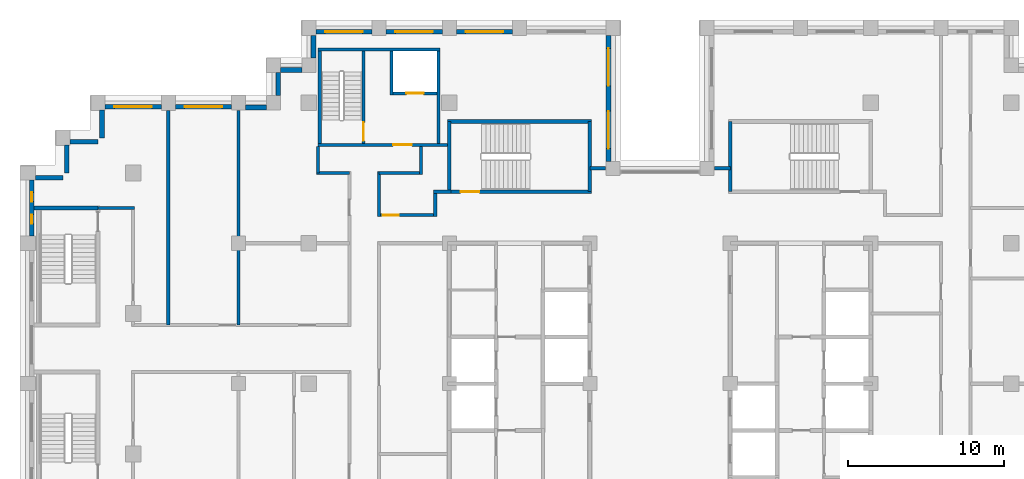
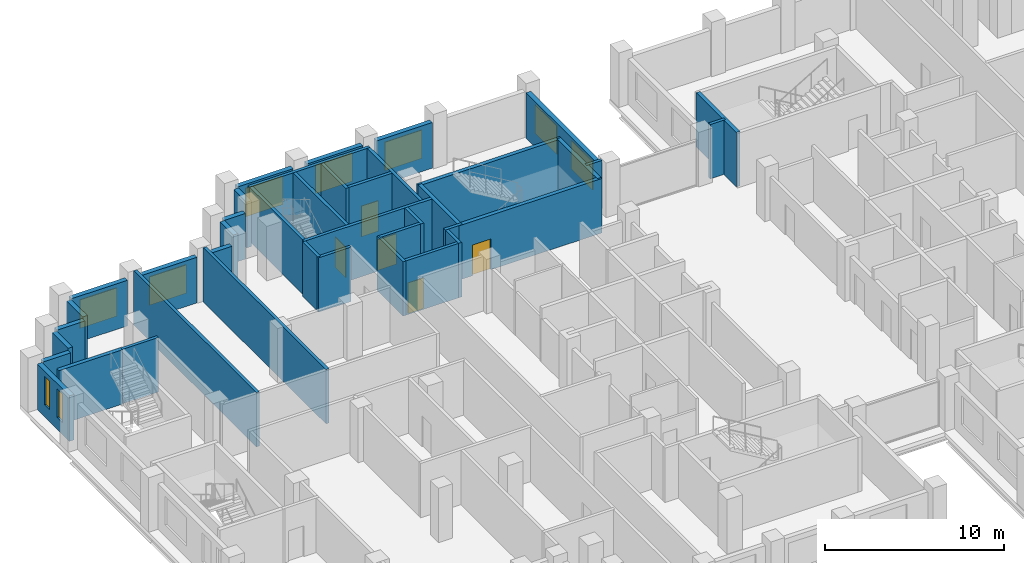
# One storey, part 10 of 15: 41 walls, 9 windows, 5 doors, 14 openings.
"""IFC4 building model written with IfcOpenShell, lengths in metres."""

from ifc_helpers import new_model, si_unit, direction, frame, frame_2d, origin, place, context, subcontext, project, spatial, rectangle, extrude, material, layer, layer_set, type_object, element, fill, save


model = new_model("IFC4")

# Units and contexts
model_context = context("Model", 3, precision=1e-05, world=origin(), true_north=direction((0.0, 1.0)))
body_context = subcontext(model_context, "Body", "Model", "MODEL_VIEW")
ifc_project = project(units=[si_unit("LENGTHUNIT", "METRE"), si_unit("AREAUNIT", "SQUARE_METRE"), si_unit("VOLUMEUNIT", "CUBIC_METRE"), si_unit("PLANEANGLEUNIT", "RADIAN"), si_unit("MASSUNIT", "GRAM", prefix="KILO")], contexts=[model_context])

# Site, building, storey
site_placement = place(None, origin())
site = spatial("IfcSite", under=ifc_project, at=site_placement, CompositionType="ELEMENT")
building_placement = place(site_placement, origin())
building = spatial("IfcBuilding", under=site, at=building_placement, Name="Corbelhall Arena Tower", CompositionType="ELEMENT")
storey_placement = place(building_placement, frame((0.0, 0.0, 192.0)))
storey = spatial("IfcBuildingStorey", under=building, at=storey_placement, Name="L39", CompositionType="ELEMENT", Elevation=192.0)

# Walls
ifc_material_1 = material(Name="Precast concrete C40/50 with granite facing", Category="masonry")
ifc_layer_1 = layer(ifc_material_1, 0.300048828125)
ifc_layer_set_1 = layer_set([ifc_layer_1], Name="EV-IW1 Infill panel 300")
wall_type_1 = type_object("IfcWallType", Name="EV-IW1 Infill panel 300", PredefinedType="SOLIDWALL", material=ifc_layer_set_1)
for number, where, z_axis, x_axis, name in (
    (1, (-35.75, 17.550048828125, 0.0), (0.0, 0.0, 1.0), (0.0, -1.0, 0.0), "Infill panel IW1"),
    (2, (-37.800048828125, 15.5, 0.0), (0.0, 0.0, 1.0), (1.0, 0.0, 0.0), "Infill panel IW1"),
    (3, (-38.0, 15.300048828125, 0.0), (0.0, 0.0, 1.0), (0.0, -1.0, 0.0), "Infill panel IW1"),
):
    element("IfcWall", number, at=place(storey_placement, frame(where, z_axis=z_axis, x_axis=x_axis)), inside=storey, type_object=wall_type_1, Name=name, PredefinedType="SOLIDWALL", context=body_context, shape_type="SweptSolid", body=[
        extrude(rectangle(XDim=1.800048828125, YDim=0.300048828125, at=frame_2d((0.89990234375, 0.0))), origin(), (0.0, 0.0, 1.0), 3.1201171875),
    ])
wall_1_placement = place(storey_placement, frame((-40.0, 13.199951171875, 0.0), z_axis=(0.0, 0.0, 1.0), x_axis=(1.0, 0.0, 0.0)))
element("IfcWall", 4, at=wall_1_placement, inside=storey, type_object=wall_type_1, Name="Infill panel IW1", PredefinedType="SOLIDWALL", context=body_context, shape_type="SweptSolid", body=[
    extrude(rectangle(XDim=1.75, YDim=0.300048828125, at=frame_2d((0.875, 0.0))), origin(), (0.0, 0.0, 1.0), 3.1201171875),
])
wall_2_placement = place(storey_placement, frame((-22.949951171875, 20.10009765625, 0.0), z_axis=(0.0, 0.0, 1.0), x_axis=(-1.0, 0.0, 0.0)))
element("IfcWall", 5, at=wall_2_placement, inside=storey, type_object=wall_type_1, Name="Infill panel IW1", PredefinedType="SOLIDWALL", context=body_context, shape_type="SweptSolid", body=[
    extrude(rectangle(XDim=1.35009765625, YDim=0.300048828125, at=frame_2d((0.675048828125, 0.0))), origin(), (0.0, 0.0, 1.0), 3.1201171875),
])
wall_3_placement = place(storey_placement, frame((-24.449951171875, 19.949951171875, 0.0), z_axis=(0.0, 0.0, 1.0), x_axis=(0.0, -1.0, 0.0)))
element("IfcWall", 6, at=wall_3_placement, inside=storey, type_object=wall_type_1, Name="Infill panel IW1", PredefinedType="SOLIDWALL", context=body_context, shape_type="SweptSolid", body=[
    extrude(rectangle(XDim=1.5, YDim=0.300048828125, at=frame_2d((0.75, 0.0))), origin(), (0.0, 0.0, 1.0), 3.1201171875),
])
wall_4_placement = place(storey_placement, frame((-25.199951171875, 17.699951171875, 0.0), z_axis=(0.0, 0.0, 1.0), x_axis=(-1.0, 0.0, 0.0)))
element("IfcWall", 7, at=wall_4_placement, inside=storey, type_object=wall_type_1, Name="Infill panel IW1", PredefinedType="SOLIDWALL", context=body_context, shape_type="SweptSolid", body=[
    extrude(rectangle(XDim=1.35009765625, YDim=0.300048828125, at=frame_2d((0.675048828125, 0.0))), origin(), (0.0, 0.0, 1.0), 3.1201171875),
])

# Wall, opening, window
wall_5_placement = place(storey_placement, frame((-27.449951171875, 17.75, 0.0), z_axis=(0.0, 0.0, 1.0), x_axis=(-1.0, 0.0, 0.0)))
wall_5 = element("IfcWall", 8, at=wall_5_placement, inside=storey, type_object=wall_type_1, Name="Infill panel IW1", PredefinedType="SOLIDWALL", context=body_context, shape_type="SweptSolid", body=[
    extrude(rectangle(XDim=3.60009765625, YDim=0.300048828125, at=frame_2d((1.800048828125, 0.0))), origin(), (0.0, 0.0, 1.0), 3.1201171875),
])
opening_1_placement = place(wall_5_placement, frame((0.60009765625, 0.0, 0.800048828125)))
opening_1 = element("IfcOpeningElement", 9, at=opening_1_placement, cuts=wall_5, Name="Opening WN1", PredefinedType="OPENING", context=body_context, shape_type="SweptSolid", body=[
    extrude(rectangle(XDim=2.39990234375, YDim=1.949951171875, at=frame_2d((1.199951171875, 0.97509765625))), frame((0.0, 0.14990234375, 0.0), z_axis=(0.0, -1.0, 0.0), x_axis=(1.0, 0.0, 0.0)), (0.0, 0.0, 1.0), 0.300048828125),
])
ifc_material_2 = material(Name="Aluminium black anodised", Category="aluminium")
window_type_1 = type_object("IfcWindowType", Name="EV-WN1 Office window", PartitioningType="SINGLE_PANEL", PredefinedType="WINDOW", material=ifc_material_2)
window_1_placement = place(opening_1_placement, origin())
window_1 = element("IfcWindow", 10, at=window_1_placement, inside=storey, type_object=window_type_1, Name="Window WN1", OverallHeight=1.949951171875, OverallWidth=2.39990234375, PartitioningType="SINGLE_PANEL", PredefinedType="WINDOW", context=body_context, shape_type="SweptSolid", body=[
    extrude(rectangle(XDim=2.39990234375, YDim=1.949951171875, at=frame_2d((1.199951171875, 0.97509765625))), frame((0.0, 0.030029296875, 0.0), z_axis=(0.0, -1.0, 0.0), x_axis=(1.0, 0.0, 0.0)), (0.0, 0.0, 1.0), 0.06005859375),
])
fill(opening_1, window_1)

wall_6_placement = place(storey_placement, frame((-31.949951171875, 17.75, 0.0), z_axis=(0.0, 0.0, 1.0), x_axis=(-1.0, 0.0, 0.0)))
wall_6 = element("IfcWall", 11, at=wall_6_placement, inside=storey, type_object=wall_type_1, Name="Infill panel IW1", PredefinedType="SOLIDWALL", context=body_context, shape_type="SweptSolid", body=[
    extrude(rectangle(XDim=3.60009765625, YDim=0.300048828125, at=frame_2d((1.800048828125, 0.0))), origin(), (0.0, 0.0, 1.0), 3.1201171875),
])
opening_2_placement = place(wall_6_placement, frame((0.60009765625, 0.0, 0.800048828125)))
opening_2 = element("IfcOpeningElement", 12, at=opening_2_placement, cuts=wall_6, Name="Opening WN1", PredefinedType="OPENING", context=body_context, shape_type="SweptSolid", body=[
    extrude(rectangle(XDim=2.39990234375, YDim=1.949951171875, at=frame_2d((1.199951171875, 0.97509765625))), frame((0.0, 0.14990234375, 0.0), z_axis=(0.0, -1.0, 0.0), x_axis=(1.0, 0.0, 0.0)), (0.0, 0.0, 1.0), 0.300048828125),
])
window_2_placement = place(opening_2_placement, origin())
window_2 = element("IfcWindow", 13, at=window_2_placement, inside=storey, type_object=window_type_1, Name="Window WN1", OverallHeight=1.949951171875, OverallWidth=2.39990234375, PartitioningType="SINGLE_PANEL", PredefinedType="WINDOW", context=body_context, shape_type="SweptSolid", body=[
    extrude(rectangle(XDim=2.39990234375, YDim=1.949951171875, at=frame_2d((1.199951171875, 0.97509765625))), frame((0.0, 0.030029296875, 0.0), z_axis=(0.0, -1.0, 0.0), x_axis=(1.0, 0.0, 0.0)), (0.0, 0.0, 1.0), 0.06005859375),
])
fill(opening_2, window_2)

# Wall, openings, windows
wall_7_placement = place(storey_placement, frame((-40.25, 13.050048828125, 0.0), z_axis=(0.0, 0.0, 1.0), x_axis=(0.0, -1.0, 0.0)))
wall_7 = element("IfcWall", 14, at=wall_7_placement, inside=storey, type_object=wall_type_1, Name="Infill panel IW1", PredefinedType="SOLIDWALL", context=body_context, shape_type="SweptSolid", body=[
    extrude(rectangle(XDim=3.60009765625, YDim=0.300048828125, at=frame_2d((1.800048828125, 0.0))), origin(), (0.0, 0.0, 1.0), 3.1201171875),
])
opening_3_placement = place(wall_7_placement, frame((0.78759765625, 0.0, 0.800048828125)))
opening_3 = element("IfcOpeningElement", 15, at=opening_3_placement, cuts=wall_7, Name="Opening WN5", PredefinedType="OPENING", context=body_context, shape_type="SweptSolid", body=[
    extrude(rectangle(XDim=0.60009765625, YDim=1.949951171875, at=frame_2d((0.300048828125, 0.97509765625))), frame((0.0, 0.14990234375, 0.0), z_axis=(0.0, -1.0, 0.0), x_axis=(1.0, 0.0, 0.0)), (0.0, 0.0, 1.0), 0.300048828125),
])
opening_4_placement = place(wall_7_placement, frame((2.21240234375, 0.0, 0.800048828125)))
opening_4 = element("IfcOpeningElement", 16, at=opening_4_placement, cuts=wall_7, Name="Opening WN5", PredefinedType="OPENING", context=body_context, shape_type="SweptSolid", body=[
    extrude(rectangle(XDim=0.60009765625, YDim=1.949951171875, at=frame_2d((0.300048828125, 0.97509765625))), frame((0.0, 0.14990234375, 0.0), z_axis=(0.0, -1.0, 0.0), x_axis=(1.0, 0.0, 0.0)), (0.0, 0.0, 1.0), 0.300048828125),
])
window_type_2 = type_object("IfcWindowType", Name="EV-WN5 Office window 600", PartitioningType="SINGLE_PANEL", PredefinedType="WINDOW", material=ifc_material_2)
window_3_placement = place(opening_3_placement, origin())
window_3 = element("IfcWindow", 17, at=window_3_placement, inside=storey, type_object=window_type_2, Name="Window WN5", OverallHeight=1.949951171875, OverallWidth=0.60009765625, PartitioningType="SINGLE_PANEL", PredefinedType="WINDOW", context=body_context, shape_type="SweptSolid", body=[
    extrude(rectangle(XDim=0.60009765625, YDim=1.949951171875, at=frame_2d((0.300048828125, 0.97509765625))), frame((0.0, 0.030029296875, 0.0), z_axis=(0.0, -1.0, 0.0), x_axis=(1.0, 0.0, 0.0)), (0.0, 0.0, 1.0), 0.06005859375),
])
fill(opening_3, window_3)
window_4_placement = place(opening_4_placement, origin())
window_4 = element("IfcWindow", 18, at=window_4_placement, inside=storey, type_object=window_type_2, Name="Window WN5", OverallHeight=1.949951171875, OverallWidth=0.60009765625, PartitioningType="SINGLE_PANEL", PredefinedType="WINDOW", context=body_context, shape_type="SweptSolid", body=[
    extrude(rectangle(XDim=0.60009765625, YDim=1.949951171875, at=frame_2d((0.300048828125, 0.97509765625))), frame((0.0, 0.030029296875, 0.0), z_axis=(0.0, -1.0, 0.0), x_axis=(1.0, 0.0, 0.0)), (0.0, 0.0, 1.0), 0.06005859375),
])
fill(opening_4, window_4)

wall_8_placement = place(storey_placement, frame((-3.300048828125, 14.25, 0.0), z_axis=(0.0, 0.0, 1.0), x_axis=(0.0, 1.0, 0.0)))
wall_8 = element("IfcWall", 19, at=wall_8_placement, inside=storey, type_object=wall_type_1, Name="Infill panel IW1", PredefinedType="SOLIDWALL", context=body_context, shape_type="SweptSolid", body=[
    extrude(rectangle(XDim=8.050048828125, YDim=0.300048828125, at=frame_2d((4.02490234375, 0.0))), origin(), (0.0, 0.0, 1.0), 3.1201171875),
])
opening_5_placement = place(wall_8_placement, frame((0.8125, 0.0, 0.800048828125)))
opening_5 = element("IfcOpeningElement", 20, at=opening_5_placement, cuts=wall_8, Name="Opening WN1", PredefinedType="OPENING", context=body_context, shape_type="SweptSolid", body=[
    extrude(rectangle(XDim=2.39990234375, YDim=1.949951171875, at=frame_2d((1.199951171875, 0.97509765625))), frame((0.0, 0.14990234375, 0.0), z_axis=(0.0, -1.0, 0.0), x_axis=(1.0, 0.0, 0.0)), (0.0, 0.0, 1.0), 0.300048828125),
])
opening_6_placement = place(wall_8_placement, frame((4.83740234375, 0.0, 0.800048828125)))
opening_6 = element("IfcOpeningElement", 21, at=opening_6_placement, cuts=wall_8, Name="Opening WN1", PredefinedType="OPENING", context=body_context, shape_type="SweptSolid", body=[
    extrude(rectangle(XDim=2.39990234375, YDim=1.949951171875, at=frame_2d((1.199951171875, 0.97509765625))), frame((0.0, 0.14990234375, 0.0), z_axis=(0.0, -1.0, 0.0), x_axis=(1.0, 0.0, 0.0)), (0.0, 0.0, 1.0), 0.300048828125),
])
window_5_placement = place(opening_5_placement, origin())
window_5 = element("IfcWindow", 22, at=window_5_placement, inside=storey, type_object=window_type_1, Name="Window WN1", OverallHeight=1.949951171875, OverallWidth=2.39990234375, PartitioningType="SINGLE_PANEL", PredefinedType="WINDOW", context=body_context, shape_type="SweptSolid", body=[
    extrude(rectangle(XDim=2.39990234375, YDim=1.949951171875, at=frame_2d((1.199951171875, 0.97509765625))), frame((0.0, 0.030029296875, 0.0), z_axis=(0.0, -1.0, 0.0), x_axis=(1.0, 0.0, 0.0)), (0.0, 0.0, 1.0), 0.06005859375),
])
fill(opening_5, window_5)
window_6_placement = place(opening_6_placement, origin())
window_6 = element("IfcWindow", 23, at=window_6_placement, inside=storey, type_object=window_type_1, Name="Window WN1", OverallHeight=1.949951171875, OverallWidth=2.39990234375, PartitioningType="SINGLE_PANEL", PredefinedType="WINDOW", context=body_context, shape_type="SweptSolid", body=[
    extrude(rectangle(XDim=2.39990234375, YDim=1.949951171875, at=frame_2d((1.199951171875, 0.97509765625))), frame((0.0, 0.030029296875, 0.0), z_axis=(0.0, -1.0, 0.0), x_axis=(1.0, 0.0, 0.0)), (0.0, 0.0, 1.0), 0.06005859375),
])
fill(opening_6, window_6)

# Wall, opening, window
wall_9_placement = place(storey_placement, frame((-9.449951171875, 22.550048828125, 0.0), z_axis=(0.0, 0.0, 1.0), x_axis=(-1.0, 0.0, 0.0)))
wall_9 = element("IfcWall", 24, at=wall_9_placement, inside=storey, type_object=wall_type_1, Name="Infill panel IW1", PredefinedType="SOLIDWALL", context=body_context, shape_type="SweptSolid", body=[
    extrude(rectangle(XDim=3.60009765625, YDim=0.300048828125, at=frame_2d((1.800048828125, 0.0))), origin(), (0.0, 0.0, 1.0), 3.1201171875),
])
opening_7_placement = place(wall_9_placement, frame((0.60009765625, 0.0, 0.800048828125)))
opening_7 = element("IfcOpeningElement", 25, at=opening_7_placement, cuts=wall_9, Name="Opening WN1", PredefinedType="OPENING", context=body_context, shape_type="SweptSolid", body=[
    extrude(rectangle(XDim=2.39990234375, YDim=1.949951171875, at=frame_2d((1.199951171875, 0.97509765625))), frame((0.0, 0.14990234375, 0.0), z_axis=(0.0, -1.0, 0.0), x_axis=(1.0, 0.0, 0.0)), (0.0, 0.0, 1.0), 0.300048828125),
])
window_7_placement = place(opening_7_placement, origin())
window_7 = element("IfcWindow", 26, at=window_7_placement, inside=storey, type_object=window_type_1, Name="Window WN1", OverallHeight=1.949951171875, OverallWidth=2.39990234375, PartitioningType="SINGLE_PANEL", PredefinedType="WINDOW", context=body_context, shape_type="SweptSolid", body=[
    extrude(rectangle(XDim=2.39990234375, YDim=1.949951171875, at=frame_2d((1.199951171875, 0.97509765625))), frame((0.0, 0.030029296875, 0.0), z_axis=(0.0, -1.0, 0.0), x_axis=(1.0, 0.0, 0.0)), (0.0, 0.0, 1.0), 0.06005859375),
])
fill(opening_7, window_7)

wall_10_placement = place(storey_placement, frame((-13.949951171875, 22.550048828125, 0.0), z_axis=(0.0, 0.0, 1.0), x_axis=(-1.0, 0.0, 0.0)))
wall_10 = element("IfcWall", 27, at=wall_10_placement, inside=storey, type_object=wall_type_1, Name="Infill panel IW1", PredefinedType="SOLIDWALL", context=body_context, shape_type="SweptSolid", body=[
    extrude(rectangle(XDim=3.60009765625, YDim=0.300048828125, at=frame_2d((1.800048828125, 0.0))), origin(), (0.0, 0.0, 1.0), 3.1201171875),
])
opening_8_placement = place(wall_10_placement, frame((0.60009765625, 0.0, 0.800048828125)))
opening_8 = element("IfcOpeningElement", 28, at=opening_8_placement, cuts=wall_10, Name="Opening WN1", PredefinedType="OPENING", context=body_context, shape_type="SweptSolid", body=[
    extrude(rectangle(XDim=2.39990234375, YDim=1.949951171875, at=frame_2d((1.199951171875, 0.97509765625))), frame((0.0, 0.14990234375, 0.0), z_axis=(0.0, -1.0, 0.0), x_axis=(1.0, 0.0, 0.0)), (0.0, 0.0, 1.0), 0.300048828125),
])
window_8_placement = place(opening_8_placement, origin())
window_8 = element("IfcWindow", 29, at=window_8_placement, inside=storey, type_object=window_type_1, Name="Window WN1", OverallHeight=1.949951171875, OverallWidth=2.39990234375, PartitioningType="SINGLE_PANEL", PredefinedType="WINDOW", context=body_context, shape_type="SweptSolid", body=[
    extrude(rectangle(XDim=2.39990234375, YDim=1.949951171875, at=frame_2d((1.199951171875, 0.97509765625))), frame((0.0, 0.030029296875, 0.0), z_axis=(0.0, -1.0, 0.0), x_axis=(1.0, 0.0, 0.0)), (0.0, 0.0, 1.0), 0.06005859375),
])
fill(opening_8, window_8)

wall_11_placement = place(storey_placement, frame((-18.449951171875, 22.550048828125, 0.0), z_axis=(0.0, 0.0, 1.0), x_axis=(-1.0, 0.0, 0.0)))
wall_11 = element("IfcWall", 30, at=wall_11_placement, inside=storey, type_object=wall_type_1, Name="Infill panel IW1", PredefinedType="SOLIDWALL", context=body_context, shape_type="SweptSolid", body=[
    extrude(rectangle(XDim=3.60009765625, YDim=0.300048828125, at=frame_2d((1.800048828125, 0.0))), origin(), (0.0, 0.0, 1.0), 3.1201171875),
])
opening_9_placement = place(wall_11_placement, frame((0.60009765625, 0.0, 0.800048828125)))
opening_9 = element("IfcOpeningElement", 31, at=opening_9_placement, cuts=wall_11, Name="Opening WN1", PredefinedType="OPENING", context=body_context, shape_type="SweptSolid", body=[
    extrude(rectangle(XDim=2.39990234375, YDim=1.949951171875, at=frame_2d((1.199951171875, 0.97509765625))), frame((0.0, 0.14990234375, 0.0), z_axis=(0.0, -1.0, 0.0), x_axis=(1.0, 0.0, 0.0)), (0.0, 0.0, 1.0), 0.300048828125),
])
window_9_placement = place(opening_9_placement, origin())
window_9 = element("IfcWindow", 32, at=window_9_placement, inside=storey, type_object=window_type_1, Name="Window WN1", OverallHeight=1.949951171875, OverallWidth=2.39990234375, PartitioningType="SINGLE_PANEL", PredefinedType="WINDOW", context=body_context, shape_type="SweptSolid", body=[
    extrude(rectangle(XDim=2.39990234375, YDim=1.949951171875, at=frame_2d((1.199951171875, 0.97509765625))), frame((0.0, 0.030029296875, 0.0), z_axis=(0.0, -1.0, 0.0), x_axis=(1.0, 0.0, 0.0)), (0.0, 0.0, 1.0), 0.06005859375),
])
fill(opening_9, window_9)

# Walls
wall_12_placement = place(storey_placement, frame((-22.199951171875, 22.300048828125, 0.0), z_axis=(0.0, 0.0, 1.0), x_axis=(0.0, -1.0, 0.0)))
element("IfcWall", 33, at=wall_12_placement, inside=storey, type_object=wall_type_1, Name="Infill panel IW1", PredefinedType="SOLIDWALL", context=body_context, shape_type="SweptSolid", body=[
    extrude(rectangle(XDim=1.449951171875, YDim=0.300048828125, at=frame_2d((0.72509765625, 0.0))), origin(), (0.0, 0.0, 1.0), 3.1201171875),
])
ifc_material_3 = material(Name="Gypsum board on steel stud, acoustic", Category="steel")
ifc_layer_2 = layer(ifc_material_3, 0.199951171875)
ifc_layer_set_2 = layer_set([ifc_layer_2], Name="IN-W-DM200")
wall_type_2 = type_object("IfcWallType", Name="IN-W-DM200", PredefinedType="PARTITIONING", material=ifc_layer_set_2)
wall_13_placement = place(storey_placement, frame((-36.0, 11.25, 0.0), z_axis=(0.0, 0.0, 1.0), x_axis=(1.0, 0.0, 0.0)))
element("IfcWall", 34, at=wall_13_placement, inside=storey, type_object=wall_type_2, Name="Partition 001", PredefinedType="PARTITIONING", context=body_context, shape_type="SweptSolid", body=[
    extrude(rectangle(XDim=2.35009765625, YDim=0.199951171875, at=frame_2d((1.175048828125, 0.0))), origin(), (0.0, 0.0, 1.0), 3.719970703125),
])
for number, where, z_axis, x_axis, name in (
    (35, (-31.5, 17.5, 0.0), (0.0, 0.0, 1.0), (0.0, -1.0, 0.0), "Partition 006"),
    (36, (-27.0, 3.75, 0.0), (0.0, 0.0, 1.0), (0.0, 1.0, 0.0), "Partition 009"),
):
    element("IfcWall", number, at=place(storey_placement, frame(where, z_axis=z_axis, x_axis=x_axis)), inside=storey, type_object=wall_type_2, Name=name, PredefinedType="PARTITIONING", context=body_context, shape_type="SweptSolid", body=[
        extrude(rectangle(XDim=13.75, YDim=0.199951171875, at=frame_2d((6.875, 0.0))), origin(), (0.0, 0.0, 1.0), 3.719970703125),
    ])
wall_14_placement = place(storey_placement, frame((-21.89990234375, 13.5, 0.0), z_axis=(0.0, 0.0, 1.0), x_axis=(0.0, 1.0, 0.0)))
element("IfcWall", 37, at=wall_14_placement, inside=storey, type_object=wall_type_2, Name="Partition 015", PredefinedType="PARTITIONING", context=body_context, shape_type="SweptSolid", body=[
    extrude(rectangle(XDim=1.699951171875, YDim=0.199951171875, at=frame_2d((0.85009765625, 0.0))), origin(), (0.0, 0.0, 1.0), 3.719970703125),
])
wall_15_placement = place(storey_placement, frame((-19.89990234375, 13.5, 0.0), z_axis=(0.0, 0.0, 1.0), x_axis=(-1.0, 0.0, 0.0)))
element("IfcWall", 38, at=wall_15_placement, inside=storey, type_object=wall_type_2, Name="Partition 018", PredefinedType="PARTITIONING", context=body_context, shape_type="SweptSolid", body=[
    extrude(rectangle(XDim=2.10009765625, YDim=0.199951171875, at=frame_2d((1.050048828125, 0.0))), origin(), (0.0, 0.0, 1.0), 3.719970703125),
])

# Wall, opening, door
wall_16_placement = place(storey_placement, frame((-18.0, 10.800048828125, 0.0), z_axis=(0.0, 0.0, 1.0), x_axis=(1.0, 0.0, 0.0)))
wall_16 = element("IfcWall", 39, at=wall_16_placement, inside=storey, type_object=wall_type_2, Name="Partition 023", PredefinedType="PARTITIONING", context=body_context, shape_type="SweptSolid", body=[
    extrude(rectangle(XDim=3.60009765625, YDim=0.199951171875, at=frame_2d((1.800048828125, 0.0))), origin(), (0.0, 0.0, 1.0), 3.719970703125),
])
opening_10_placement = place(wall_16_placement, frame((0.25, 0.0, 0.0)))
opening_10 = element("IfcOpeningElement", 40, at=opening_10_placement, cuts=wall_16, Name="Opening 11027", PredefinedType="OPENING", context=body_context, shape_type="SweptSolid", body=[
    extrude(rectangle(XDim=1.0, YDim=2.10009765625, at=frame_2d((0.5, 1.050048828125))), frame((0.0, 0.10009765625, 0.0), z_axis=(0.0, -1.0, 0.0), x_axis=(1.0, 0.0, 0.0)), (0.0, 0.0, 1.0), 0.199951171875),
])
ifc_material_4 = material(Name="Steel door set", Category="steel")
door_type_1 = type_object("IfcDoorType", Name="IN-D-SW100", OperationType="NOTDEFINED", PredefinedType="DOOR", material=ifc_material_4)
door_1_placement = place(opening_10_placement, origin())
door_1 = element("IfcDoor", 41, at=door_1_placement, inside=storey, type_object=door_type_1, Name="Door 027", OperationType="SINGLE_SWING_RIGHT", OverallHeight=2.10009765625, OverallWidth=1.0, PredefinedType="DOOR", context=body_context, shape_type="SweptSolid", body=[
    extrude(rectangle(XDim=1.0, YDim=2.10009765625, at=frame_2d((0.5, 1.050048828125))), frame((0.0, 0.02490234375, 0.0), z_axis=(0.0, -1.0, 0.0), x_axis=(1.0, 0.0, 0.0)), (0.0, 0.0, 1.0), 0.050048828125),
])
fill(opening_10, door_1)

# Walls
wall_17_placement = place(storey_placement, frame((-18.0, 13.60009765625, 0.0), z_axis=(0.0, 0.0, 1.0), x_axis=(0.0, -1.0, 0.0)))
element("IfcWall", 42, at=wall_17_placement, inside=storey, type_object=wall_type_2, Name="Partition 024", PredefinedType="PARTITIONING", context=body_context, shape_type="SweptSolid", body=[
    extrude(rectangle(XDim=2.900146484375, YDim=0.199951171875, at=frame_2d((1.4501953125, 0.0))), origin(), (0.0, 0.0, 1.0), 3.719970703125),
])
wall_18_placement = place(storey_placement, frame((-15.300048828125, 13.5, 0.0), z_axis=(0.0, 0.0, 1.0), x_axis=(-1.0, 0.0, 0.0)))
element("IfcWall", 43, at=wall_18_placement, inside=storey, type_object=wall_type_2, Name="Partition 025", PredefinedType="PARTITIONING", context=body_context, shape_type="SweptSolid", body=[
    extrude(rectangle(XDim=2.699951171875, YDim=0.199951171875, at=frame_2d((1.35009765625, 0.0))), origin(), (0.0, 0.0, 1.0), 3.719970703125),
])
wall_19_placement = place(storey_placement, frame((-15.300048828125, 15.199951171875, 0.0), z_axis=(0.0, 0.0, 1.0), x_axis=(0.0, -1.0, 0.0)))
element("IfcWall", 44, at=wall_19_placement, inside=storey, type_object=wall_type_2, Name="Partition 026", PredefinedType="PARTITIONING", context=body_context, shape_type="SweptSolid", body=[
    extrude(rectangle(XDim=1.800048828125, YDim=0.199951171875, at=frame_2d((0.89990234375, 0.0))), origin(), (0.0, 0.0, 1.0), 3.719970703125),
])
wall_20_placement = place(storey_placement, frame((-14.5, 12.300048828125, 0.0), z_axis=(0.0, 0.0, 1.0), x_axis=(1.0, 0.0, 0.0)))
element("IfcWall", 45, at=wall_20_placement, inside=storey, type_object=wall_type_2, Name="Partition 027", PredefinedType="PARTITIONING", context=body_context, shape_type="SweptSolid", body=[
    extrude(rectangle(XDim=1.125, YDim=0.199951171875, at=frame_2d((0.5625, 0.0))), origin(), (0.0, 0.0, 1.0), 3.719970703125),
])
wall_21_placement = place(storey_placement, frame((-14.39990234375, 10.699951171875, 0.0), z_axis=(0.0, 0.0, 1.0), x_axis=(0.0, 1.0, 0.0)))
element("IfcWall", 46, at=wall_21_placement, inside=storey, type_object=wall_type_2, Name="Partition 031", PredefinedType="PARTITIONING", context=body_context, shape_type="SweptSolid", body=[
    extrude(rectangle(XDim=1.60009765625, YDim=0.199951171875, at=frame_2d((0.800048828125, 0.0))), origin(), (0.0, 0.0, 1.0), 3.719970703125),
])
for number, where, z_axis, x_axis, name in (
    (47, (-4.5, 13.800048828125, 0.0), (0.0, 0.0, 1.0), (1.0, 0.0, 0.0), "Partition 033"),
    (48, (3.5, 13.800048828125, 0.0), (0.0, 0.0, 1.0), (1.0, 0.0, 0.0), "Partition 035"),
):
    element("IfcWall", number, at=place(storey_placement, frame(where, z_axis=z_axis, x_axis=x_axis)), inside=storey, type_object=wall_type_2, Name=name, PredefinedType="PARTITIONING", context=body_context, shape_type="SweptSolid", body=[
        extrude(rectangle(XDim=1.0, YDim=0.199951171875, at=frame_2d((0.5, 0.0))), origin(), (0.0, 0.0, 1.0), 3.719970703125),
    ])

# Wall, opening, door
ifc_material_5 = material(Name="Concrete C40/50", Category="concrete")
ifc_layer_3 = layer(ifc_material_5, 0.199951171875)
ifc_layer_set_3 = layer_set([ifc_layer_3], Name="IN-W-EAR200")
wall_type_3 = type_object("IfcWallType", Name="IN-W-EAR200", PredefinedType="SOLIDWALL", material=ifc_layer_set_3)
wall_22_placement = place(storey_placement, frame((-21.89990234375, 15.300048828125, 0.0), z_axis=(0.0, 0.0, 1.0), x_axis=(1.0, 0.0, 0.0)))
wall_22 = element("IfcWall", 49, at=wall_22_placement, inside=storey, type_object=wall_type_3, Name="Fire service turret wall south", PredefinedType="SOLIDWALL", context=body_context, shape_type="SweptSolid", body=[
    extrude(rectangle(XDim=8.27490234375, YDim=0.199951171875, at=frame_2d((4.137451171875, 0.0))), origin(), (0.0, 0.0, 1.0), 3.719970703125),
])
opening_11_placement = place(wall_22_placement, frame((4.800048828125, 0.0, 0.0)))
opening_11 = element("IfcOpeningElement", 50, at=opening_11_placement, cuts=wall_22, Name="Opening E112", PredefinedType="OPENING", context=body_context, shape_type="SweptSolid", body=[
    extrude(rectangle(XDim=1.199951171875, YDim=2.10009765625, at=frame_2d((0.60009765625, 1.050048828125))), frame((0.0, 0.10009765625, 0.0), z_axis=(0.0, -1.0, 0.0), x_axis=(1.0, 0.0, 0.0)), (0.0, 0.0, 1.0), 0.199951171875),
])
door_type_2 = type_object("IfcDoorType", Name="IN-D-ST120", OperationType="NOTDEFINED", PredefinedType="DOOR", material=ifc_material_4)
door_2_placement = place(opening_11_placement, origin())
door_2 = element("IfcDoor", 51, at=door_2_placement, inside=storey, type_object=door_type_2, Name="Door from fire service lift lobby to circulation", OperationType="SINGLE_SWING_RIGHT", OverallHeight=2.10009765625, OverallWidth=1.199951171875, PredefinedType="DOOR", context=body_context, shape_type="SweptSolid", body=[
    extrude(rectangle(XDim=1.199951171875, YDim=2.10009765625, at=frame_2d((0.60009765625, 1.050048828125))), frame((0.0, 0.02490234375, 0.0), z_axis=(0.0, -1.0, 0.0), x_axis=(1.0, 0.0, 0.0)), (0.0, 0.0, 1.0), 0.050048828125),
])
fill(opening_11, door_2)

# Walls
wall_23_placement = place(storey_placement, frame((-21.89990234375, 21.39990234375, 0.0), z_axis=(0.0, 0.0, 1.0), x_axis=(1.0, 0.0, 0.0)))
element("IfcWall", 52, at=wall_23_placement, inside=storey, type_object=wall_type_3, Name="Fire service turret wall north", PredefinedType="SOLIDWALL", context=body_context, shape_type="SweptSolid", body=[
    extrude(rectangle(XDim=7.7998046875, YDim=0.199951171875, at=frame_2d((3.89990234375, 0.0))), origin(), (0.0, 0.0, 1.0), 3.719970703125),
])
for number, where, z_axis, x_axis, name in (
    (53, (-21.800048828125, 15.39990234375, 0.0), (0.0, 0.0, 1.0), (0.0, 1.0, 0.0), "Fire service turret wall west"),
    (54, (-14.199951171875, 15.39990234375, 0.0), (0.0, 0.0, 1.0), (0.0, 1.0, 0.0), "Fire service turret wall east"),
):
    element("IfcWall", number, at=place(storey_placement, frame(where, z_axis=z_axis, x_axis=x_axis)), inside=storey, type_object=wall_type_3, Name=name, PredefinedType="SOLIDWALL", context=body_context, shape_type="SweptSolid", body=[
        extrude(rectangle(XDim=5.900146484375, YDim=0.199951171875, at=frame_2d((2.9501953125, 0.0))), origin(), (0.0, 0.0, 1.0), 3.719970703125),
    ])

# Wall, opening, door
wall_24_placement = place(storey_placement, frame((-18.989990234375, 15.39990234375, 0.0), z_axis=(0.0, 0.0, 1.0), x_axis=(0.0, 1.0, 0.0)))
wall_24 = element("IfcWall", 55, at=wall_24_placement, inside=storey, type_object=wall_type_3, Name="Fire service turret wall stair", PredefinedType="SOLIDWALL", context=body_context, shape_type="SweptSolid", body=[
    extrude(rectangle(XDim=5.900146484375, YDim=0.199951171875, at=frame_2d((2.9501953125, 0.0))), origin(), (0.0, 0.0, 1.0), 3.719970703125),
])
opening_12_placement = place(wall_24_placement, frame((0.14990234375, 0.0, 0.0)))
opening_12 = element("IfcOpeningElement", 56, at=opening_12_placement, cuts=wall_24, Name="Opening E111", PredefinedType="OPENING", context=body_context, shape_type="SweptSolid", body=[
    extrude(rectangle(XDim=1.199951171875, YDim=2.10009765625, at=frame_2d((0.60009765625, 1.050048828125))), frame((0.0, 0.10009765625, 0.0), z_axis=(0.0, -1.0, 0.0), x_axis=(1.0, 0.0, 0.0)), (0.0, 0.0, 1.0), 0.199951171875),
])
door_3_placement = place(opening_12_placement, origin())
door_3 = element("IfcDoor", 57, at=door_3_placement, inside=storey, type_object=door_type_2, Name="Stair door to fire service lobby", OperationType="SINGLE_SWING_LEFT", OverallHeight=2.10009765625, OverallWidth=1.199951171875, PredefinedType="DOOR", context=body_context, shape_type="SweptSolid", body=[
    extrude(rectangle(XDim=1.199951171875, YDim=2.10009765625, at=frame_2d((0.60009765625, 1.050048828125))), frame((0.0, 0.02490234375, 0.0), z_axis=(0.0, -1.0, 0.0), x_axis=(1.0, 0.0, 0.0)), (0.0, 0.0, 1.0), 0.050048828125),
])
fill(opening_12, door_3)

# Wall
wall_25_placement = place(storey_placement, frame((-17.199951171875, 18.5, 0.0), z_axis=(0.0, 0.0, 1.0), x_axis=(0.0, 1.0, 0.0)))
element("IfcWall", 58, at=wall_25_placement, inside=storey, type_object=wall_type_3, Name="Fire service turret wall hoistway west", PredefinedType="SOLIDWALL", context=body_context, shape_type="SweptSolid", body=[
    extrude(rectangle(XDim=2.800048828125, YDim=0.199951171875, at=frame_2d((1.39990234375, 0.0))), origin(), (0.0, 0.0, 1.0), 3.719970703125),
])

# Wall, opening, door
wall_26_placement = place(storey_placement, frame((-17.10009765625, 18.60009765625, 0.0), z_axis=(0.0, 0.0, 1.0), x_axis=(1.0, 0.0, 0.0)))
wall_26 = element("IfcWall", 59, at=wall_26_placement, inside=storey, type_object=wall_type_3, Name="Fire service turret wall hoistway south", PredefinedType="SOLIDWALL", context=body_context, shape_type="SweptSolid", body=[
    extrude(rectangle(XDim=2.800048828125, YDim=0.199951171875, at=frame_2d((1.39990234375, 0.0))), origin(), (0.0, 0.0, 1.0), 3.719970703125),
])
opening_13_placement = place(wall_26_placement, frame((0.85009765625, 0.0, 0.0)))
opening_13 = element("IfcOpeningElement", 60, at=opening_13_placement, cuts=wall_26, Name="Opening LD", PredefinedType="OPENING", context=body_context, shape_type="SweptSolid", body=[
    extrude(rectangle(XDim=1.10009765625, YDim=2.10009765625, at=frame_2d((0.550048828125, 1.050048828125))), frame((0.0, 0.10009765625, 0.0), z_axis=(0.0, -1.0, 0.0), x_axis=(1.0, 0.0, 0.0)), (0.0, 0.0, 1.0), 0.199951171875),
])
door_type_3 = type_object("IfcDoorType", Name="IN-D-LD110", OperationType="NOTDEFINED", PredefinedType="DOOR", material=ifc_material_4)
door_4_placement = place(opening_13_placement, origin())
door_4 = element("IfcDoor", 61, at=door_4_placement, inside=storey, type_object=door_type_3, Name="Landing door FS1", OperationType="SLIDING_TO_LEFT", OverallHeight=2.10009765625, OverallWidth=1.10009765625, PredefinedType="DOOR", context=body_context, shape_type="SweptSolid", body=[
    extrude(rectangle(XDim=1.10009765625, YDim=2.10009765625, at=frame_2d((0.550048828125, 1.050048828125))), frame((0.0, 0.02490234375, 0.0), z_axis=(0.0, -1.0, 0.0), x_axis=(1.0, 0.0, 0.0)), (0.0, 0.0, 1.0), 0.050048828125),
])
fill(opening_13, door_4)

# Wall
ifc_layer_4 = layer(ifc_material_5, 0.25)
ifc_layer_set_4 = layer_set([ifc_layer_4], Name="IN-W-ST250")
wall_type_4 = type_object("IfcWallType", Name="IN-W-ST250", PredefinedType="SOLIDWALL", material=ifc_layer_set_4)
wall_27_placement = place(storey_placement, frame((-40.10009765625, 11.25, 0.0), z_axis=(0.0, 0.0, 1.0), x_axis=(1.0, 0.0, 0.0)))
element("IfcWall", 62, at=wall_27_placement, inside=storey, type_object=wall_type_4, Name="Shaft wall 098", PredefinedType="SOLIDWALL", context=body_context, shape_type="SweptSolid", body=[
    extrude(rectangle(XDim=4.10009765625, YDim=0.25, at=frame_2d((2.050048828125, 0.0))), origin(), (0.0, 0.0, 1.0), 3.719970703125),
])

# Wall, opening, door
wall_28_placement = place(storey_placement, frame((-13.625, 12.300048828125, 0.0), z_axis=(0.0, 0.0, 1.0), x_axis=(1.0, 0.0, 0.0)))
wall_28 = element("IfcWall", 63, at=wall_28_placement, inside=storey, type_object=wall_type_4, Name="Shaft wall 103", PredefinedType="SOLIDWALL", context=body_context, shape_type="SweptSolid", body=[
    extrude(rectangle(XDim=9.25, YDim=0.25, at=frame_2d((4.625, 0.0))), origin(), (0.0, 0.0, 1.0), 3.719970703125),
])
opening_14_placement = place(wall_28_placement, frame((0.85009765625, 0.0, 0.0)))
opening_14 = element("IfcOpeningElement", 64, at=opening_14_placement, cuts=wall_28, Name="Opening 11016", PredefinedType="OPENING", context=body_context, shape_type="SweptSolid", body=[
    extrude(rectangle(XDim=1.199951171875, YDim=2.10009765625, at=frame_2d((0.60009765625, 1.050048828125))), frame((0.0, 0.125, 0.0), z_axis=(0.0, -1.0, 0.0), x_axis=(1.0, 0.0, 0.0)), (0.0, 0.0, 1.0), 0.25),
])
door_5_placement = place(opening_14_placement, origin())
door_5 = element("IfcDoor", 65, at=door_5_placement, inside=storey, type_object=door_type_2, Name="Door 016", OperationType="SINGLE_SWING_LEFT", OverallHeight=2.10009765625, OverallWidth=1.199951171875, PredefinedType="DOOR", context=body_context, shape_type="SweptSolid", body=[
    extrude(rectangle(XDim=1.199951171875, YDim=2.10009765625, at=frame_2d((0.60009765625, 1.050048828125))), frame((0.0, 0.02490234375, 0.0), z_axis=(0.0, -1.0, 0.0), x_axis=(1.0, 0.0, 0.0)), (0.0, 0.0, 1.0), 0.050048828125),
])
fill(opening_14, door_5)

# Walls
wall_29_placement = place(storey_placement, frame((-13.625, 16.800048828125, 0.0), z_axis=(0.0, 0.0, 1.0), x_axis=(1.0, 0.0, 0.0)))
element("IfcWall", 66, at=wall_29_placement, inside=storey, type_object=wall_type_4, Name="Shaft wall 104", PredefinedType="SOLIDWALL", context=body_context, shape_type="SweptSolid", body=[
    extrude(rectangle(XDim=9.25, YDim=0.25, at=frame_2d((4.625, 0.0))), origin(), (0.0, 0.0, 1.0), 3.719970703125),
])
for number, where, z_axis, x_axis, name in (
    (67, (-13.5, 12.300048828125, 0.0), (0.0, 0.0, 1.0), (0.0, 1.0, 0.0), "Shaft wall 106"),
    (68, (-4.5, 16.800048828125, 0.0), (0.0, 0.0, 1.0), (0.0, -1.0, 0.0), "Shaft wall 109"),
    (69, (4.5, 12.300048828125, 0.0), (0.0, 0.0, 1.0), (0.0, 1.0, 0.0), "Shaft wall 114"),
):
    element("IfcWall", number, at=place(storey_placement, frame(where, z_axis=z_axis, x_axis=x_axis)), inside=storey, type_object=wall_type_4, Name=name, PredefinedType="SOLIDWALL", context=body_context, shape_type="SweptSolid", body=[
        extrude(rectangle(XDim=4.5, YDim=0.25, at=frame_2d((2.25, 0.0))), origin(), (0.0, 0.0, 1.0), 3.719970703125),
    ])

save(model, "model.ifc")
